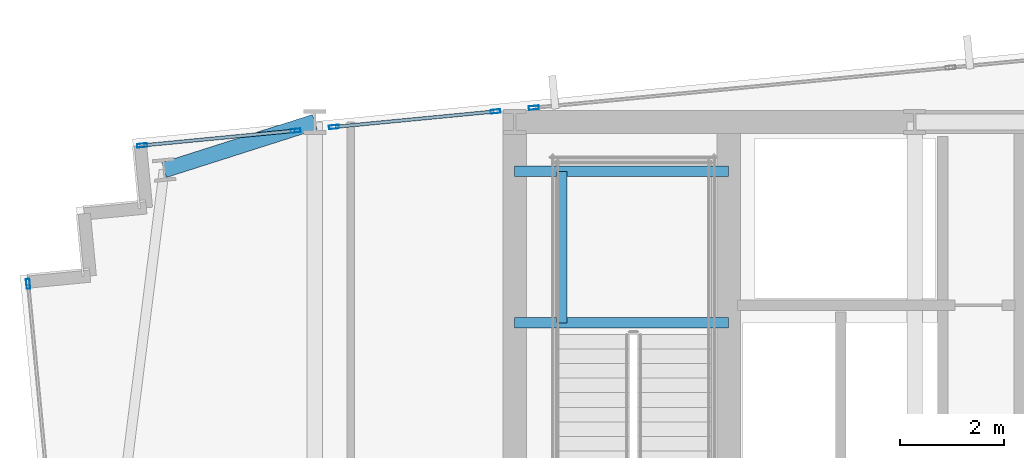
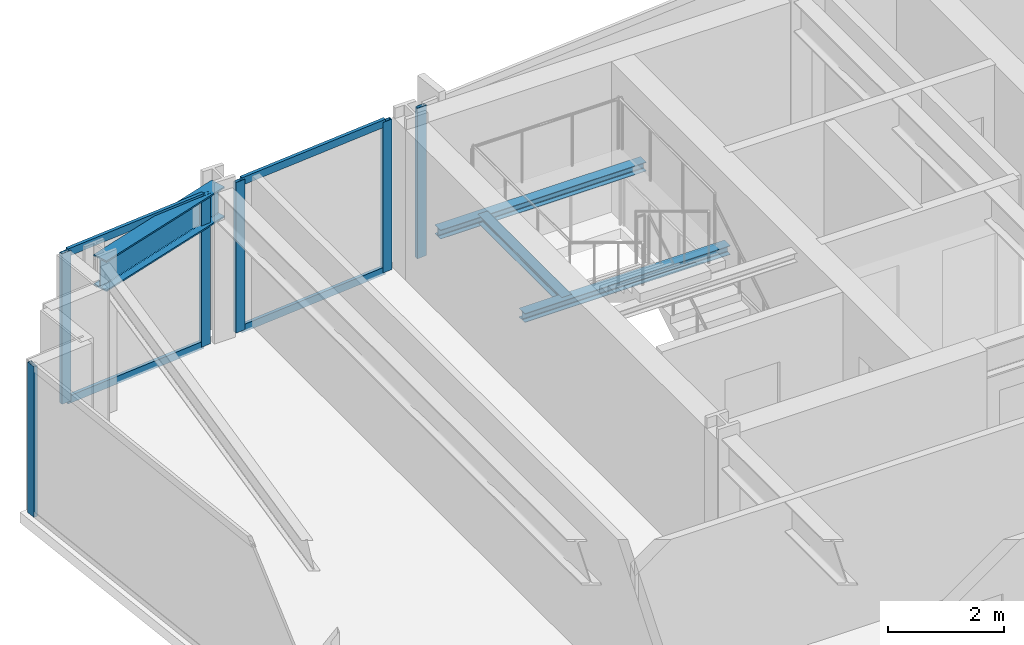
# One storey, part 17 of 32: 10 members, 4 beams, 4 elements without a shape of their own.
"""IFC4 building model written with IfcOpenShell, lengths in metres."""

from ifc_helpers import new_model, si_unit, direction, frame, origin, origin_2d, place, context, subcontext, project, spatial, hollow_rectangle, i_section, extrude, material, material_profile, profile_set, type_object, element, aggregate, save


model = new_model("IFC4")

# Units and contexts
model_context = context("Model", 3, precision=1e-05, world=origin(), true_north=direction((0.0, 1.0)))
body_context = subcontext(model_context, "Body", "Model", "MODEL_VIEW")
ifc_project = project(units=[si_unit("LENGTHUNIT", "METRE"), si_unit("AREAUNIT", "SQUARE_METRE"), si_unit("VOLUMEUNIT", "CUBIC_METRE"), si_unit("PLANEANGLEUNIT", "RADIAN"), si_unit("MASSUNIT", "GRAM", prefix="KILO")], contexts=[model_context])

# Site, building, storey
site_placement = place(None, origin())
site = spatial("IfcSite", under=ifc_project, at=site_placement, CompositionType="ELEMENT")
building_placement = place(site_placement, origin())
building = spatial("IfcBuilding", under=site, at=building_placement, Name="Yelkora Congress Tower", CompositionType="ELEMENT")
storey_placement = place(building_placement, frame((0.0, 0.0, 130.5)))
storey = spatial("IfcBuildingStorey", under=building, at=storey_placement, Name="L35", CompositionType="ELEMENT", Elevation=130.5)

# Beams
ifc_material_1 = material(Name="Steel S355J2", Category="steel")
ifc_material_profile_1 = material_profile(ifc_material_1, i_section(OverallWidth=0.300048828125, OverallDepth=0.64990234375, WebThickness=0.01611328125, FlangeThickness=0.031005859375, FilletRadius=0.027099609375, at=origin_2d()), Name="HEB 650")
ifc_profile_set_1 = profile_set([ifc_material_profile_1], Name="Steel S355J2")
beam_type_1 = type_object("IfcBeamType", Name="BM-GIRD-HEB650", PredefinedType="BEAM", material=ifc_profile_set_1)
beam_1_placement = place(storey_placement, frame((16.306884765625, 45.27734375, 2.85498046875), z_axis=(0.952727067409, 0.303827475759, 0.0), x_axis=(-0.303827475759, 0.952727067409, 0.0)))
element("IfcBeam", 1, at=beam_1_placement, inside=storey, type_object=beam_type_1, Name="L35 Primary Frame Girder N01", PredefinedType="BEAM", context=body_context, shape_type="SweptSolid", body=[
    extrude(i_section(OverallWidth=0.300048828125, OverallDepth=0.64990234375, WebThickness=0.01611328125, FlangeThickness=0.031005859375, FilletRadius=0.027099609375, at=origin_2d()), origin(), (0.0, 0.0, 1.0), 3.03662109375),
])
ifc_material_profile_2 = material_profile(ifc_material_1, i_section(OverallWidth=0.199951171875, OverallDepth=0.18994140625, WebThickness=0.006591796875, FlangeThickness=0.010009765625, FilletRadius=0.01806640625, at=origin_2d()), Name="HEA 200")
ifc_profile_set_2 = profile_set([ifc_material_profile_2], Name="Steel S355J2")
beam_type_2 = type_object("IfcBeamType", Name="BM-LAND-HEA200", PredefinedType="BEAM", material=ifc_profile_set_2)
for number, where, z_axis, x_axis, name in (
    (2, (23.0400390625, 42.340087890625, 1.384521484375), (1.0, 0.0, 0.0), (0.0, 1.0, 0.0), "ST-01 L35 Landing Header Beam 1S"),
    (3, (23.0400390625, 45.25, 1.384521484375), (1.0, 0.0, 0.0), (0.0, 1.0, 0.0), "ST-01 L35 Landing Header Beam 1N"),
):
    element("IfcBeam", number, at=place(storey_placement, frame(where, z_axis=z_axis, x_axis=x_axis)), inside=storey, type_object=beam_type_2, Name=name, PredefinedType="BEAM", context=body_context, shape_type="SweptSolid", body=[
        extrude(i_section(OverallWidth=0.199951171875, OverallDepth=0.18994140625, WebThickness=0.006591796875, FlangeThickness=0.010009765625, FilletRadius=0.01806640625, at=origin_2d()), origin(), (0.0, 0.0, 1.0), 4.10986328125),
    ])
beam_2_placement = place(storey_placement, frame((23.93994140625, 42.340087890625, 1.384521484375), z_axis=(0.0, 1.0, 0.0), x_axis=(-1.0, 0.0, 0.0)))
element("IfcBeam", 4, at=beam_2_placement, inside=storey, type_object=beam_type_2, Name="ST-01 L35 Landing Trimmer Beam 1M", PredefinedType="BEAM", context=body_context, shape_type="SweptSolid", body=[
    extrude(i_section(OverallWidth=0.199951171875, OverallDepth=0.18994140625, WebThickness=0.006591796875, FlangeThickness=0.010009765625, FilletRadius=0.01806640625, at=origin_2d()), origin(), (0.0, 0.0, 1.0), 2.909912109375),
])

# Curtain wall, member
ifc_material_2 = material(Name="Anodised aluminium and insulated glass", Category="aluminium")
curtain_wall_type = type_object("IfcCurtainWallType", Name="CW-SYS-B2", PredefinedType="NOTDEFINED", material=ifc_material_2)
curtain_wall_1_placement = place(storey_placement, origin())
curtain_wall_1 = element("IfcCurtainWall", 5, at=curtain_wall_1_placement, inside=storey, type_object=curtain_wall_type, Name="L35 Unitised Curtain Wall 5", PredefinedType="NOTDEFINED")
ifc_material_3 = material(Name="Anodised aluminium 6063-T6", Category="aluminium")
ifc_material_profile_3 = material_profile(ifc_material_3, hollow_rectangle(XDim=0.070068359375, YDim=0.18994140625, WallThickness=0.00390625, at=origin_2d()), Name="ALU 70x190x4")
ifc_profile_set_3 = profile_set([ifc_material_profile_3], Name="Anodised aluminium 6063-T6")
member_type_1 = type_object("IfcMemberType", Name="MEM-ML-B2", PredefinedType="MULLION", material=ifc_profile_set_3)
member_1_placement = place(storey_placement, frame((13.6943359375, 43.091796875, 0.0), z_axis=(0.0, 0.0, 1.0), x_axis=(-0.995396507508, -0.095842541913, 0.0)))
member_1 = element("IfcMember", 6, at=member_1_placement, type_object=member_type_1, Name="CW-B2 mullion 5", PredefinedType="MULLION", context=body_context, shape_type="SweptSolid", body=[
    extrude(hollow_rectangle(XDim=0.070068359375, YDim=0.18994140625, WallThickness=0.00390625, at=origin_2d()), origin(), (0.0, 0.0, 1.0), 3.179931640625),
])
aggregate(curtain_wall_1, [member_1])

# Curtain wall, members
curtain_wall_2_placement = place(storey_placement, origin())
curtain_wall_2 = element("IfcCurtainWall", 7, at=curtain_wall_2_placement, inside=storey, type_object=curtain_wall_type, Name="L35 Unitised Curtain Wall 10 (1)", PredefinedType="NOTDEFINED")
member_2_placement = place(storey_placement, frame((15.884521484375, 45.7490234375, 0.0), z_axis=(0.0, 0.0, 1.0), x_axis=(-0.095839346142, 0.99539681521, 0.0)))
member_2 = element("IfcMember", 8, at=member_2_placement, type_object=member_type_1, Name="CW-B2 mullion 1", PredefinedType="MULLION", context=body_context, shape_type="SweptSolid", body=[
    extrude(hollow_rectangle(XDim=0.070068359375, YDim=0.18994140625, WallThickness=0.00390625, at=origin_2d()), origin(), (0.0, 0.0, 1.0), 3.179931640625),
])
member_3_placement = place(storey_placement, frame((18.833251953125, 46.032958984375, 0.0), z_axis=(0.0, 0.0, 1.0), x_axis=(-0.095839346142, 0.99539681521, 0.0)))
member_3 = element("IfcMember", 9, at=member_3_placement, type_object=member_type_1, Name="CW-B2 mullion 2", PredefinedType="MULLION", context=body_context, shape_type="SweptSolid", body=[
    extrude(hollow_rectangle(XDim=0.070068359375, YDim=0.18994140625, WallThickness=0.00390625, at=origin_2d()), origin(), (0.0, 0.0, 1.0), 3.179931640625),
])

curtain_wall_3_placement = place(storey_placement, origin())
curtain_wall_3 = element("IfcCurtainWall", 10, at=curtain_wall_3_placement, inside=storey, type_object=curtain_wall_type, Name="L35 Unitised Curtain Wall 10 (2)", PredefinedType="NOTDEFINED")
member_4_placement = place(storey_placement, frame((19.56689453125, 46.103515625, 0.0), z_axis=(0.0, 0.0, 1.0), x_axis=(-0.095841399764, 0.99539661748, 0.0)))
member_4 = element("IfcMember", 11, at=member_4_placement, type_object=member_type_1, Name="CW-B2 mullion 1", PredefinedType="MULLION", context=body_context, shape_type="SweptSolid", body=[
    extrude(hollow_rectangle(XDim=0.070068359375, YDim=0.18994140625, WallThickness=0.00390625, at=origin_2d()), origin(), (0.0, 0.0, 1.0), 3.179931640625),
])
member_5_placement = place(storey_placement, frame((22.673095703125, 46.402587890625, 0.0), z_axis=(0.0, 0.0, 1.0), x_axis=(-0.095841399764, 0.99539661748, 0.0)))
member_5 = element("IfcMember", 12, at=member_5_placement, type_object=member_type_1, Name="CW-B2 mullion 2", PredefinedType="MULLION", context=body_context, shape_type="SweptSolid", body=[
    extrude(hollow_rectangle(XDim=0.070068359375, YDim=0.18994140625, WallThickness=0.00390625, at=origin_2d()), origin(), (0.0, 0.0, 1.0), 3.179931640625),
])

# Curtain wall, member
curtain_wall_4_placement = place(storey_placement, origin())
curtain_wall_4 = element("IfcCurtainWall", 13, at=curtain_wall_4_placement, inside=storey, type_object=curtain_wall_type, Name="L35 Unitised Curtain Wall 10 (3)", PredefinedType="NOTDEFINED")
member_6_placement = place(storey_placement, frame((23.40673828125, 46.473388671875, 0.0), z_axis=(0.0, 0.0, 1.0), x_axis=(-0.095844238468, 0.995396344153, 0.0)))
member_6 = element("IfcMember", 14, at=member_6_placement, type_object=member_type_1, Name="CW-B2 mullion 1", PredefinedType="MULLION", context=body_context, shape_type="SweptSolid", body=[
    extrude(hollow_rectangle(XDim=0.070068359375, YDim=0.18994140625, WallThickness=0.00390625, at=origin_2d()), origin(), (0.0, 0.0, 1.0), 3.179931640625),
])
aggregate(curtain_wall_4, [member_6])

# Member
ifc_material_profile_4 = material_profile(ifc_material_3, hollow_rectangle(XDim=0.06494140625, YDim=0.159912109375, WallThickness=0.00390625, at=origin_2d()), Name="ALU 65x160x4")
ifc_profile_set_4 = profile_set([ifc_material_profile_4], Name="Anodised aluminium 6063-T6")
member_type_2 = type_object("IfcMemberType", Name="MEM-TR-B2", PredefinedType="USERDEFINED", material=ifc_profile_set_4)
member_7_placement = place(storey_placement, frame((15.91943359375, 45.75244140625, 0.032470703125), z_axis=(0.995399744854, 0.095808913705, 0.0), x_axis=(-0.095808913705, 0.995399744854, 0.0)))
member_7 = element("IfcMember", 15, at=member_7_placement, type_object=member_type_2, Name="CW-B2 transom 1.1", ObjectType="TRANSOM", PredefinedType="USERDEFINED", context=body_context, shape_type="SweptSolid", body=[
    extrude(hollow_rectangle(XDim=0.06494140625, YDim=0.159912109375, WallThickness=0.00390625, at=origin_2d()), origin(), (0.0, 0.0, 1.0), 2.89208984375),
])

member_8_placement = place(storey_placement, frame((15.91943359375, 45.75244140625, 3.1474609375), z_axis=(0.995399744854, 0.095808913705, 0.0), x_axis=(-0.095808913705, 0.995399744854, 0.0)))
member_8 = element("IfcMember", 16, at=member_8_placement, type_object=member_type_2, Name="CW-B2 transom 1.2", ObjectType="TRANSOM", PredefinedType="USERDEFINED", context=body_context, shape_type="SweptSolid", body=[
    extrude(hollow_rectangle(XDim=0.06494140625, YDim=0.159912109375, WallThickness=0.00390625, at=origin_2d()), origin(), (0.0, 0.0, 1.0), 2.89208984375),
])

aggregate(curtain_wall_2, [member_2, member_3, member_7, member_8])

member_9_placement = place(storey_placement, frame((19.6015625, 46.10693359375, 0.032470703125), z_axis=(0.995401842144, 0.095787121557, 0.0), x_axis=(-0.095787121557, 0.995401842144, 0.0)))
member_9 = element("IfcMember", 17, at=member_9_placement, type_object=member_type_2, Name="CW-B2 transom 1.1", ObjectType="TRANSOM", PredefinedType="USERDEFINED", context=body_context, shape_type="SweptSolid", body=[
    extrude(hollow_rectangle(XDim=0.06494140625, YDim=0.159912109375, WallThickness=0.00390625, at=origin_2d()), origin(), (0.0, 0.0, 1.0), 3.05078125),
])

member_10_placement = place(storey_placement, frame((19.6015625, 46.10693359375, 3.1474609375), z_axis=(0.995401842144, 0.095787121557, 0.0), x_axis=(-0.095787121557, 0.995401842144, 0.0)))
member_10 = element("IfcMember", 18, at=member_10_placement, type_object=member_type_2, Name="CW-B2 transom 1.2", ObjectType="TRANSOM", PredefinedType="USERDEFINED", context=body_context, shape_type="SweptSolid", body=[
    extrude(hollow_rectangle(XDim=0.06494140625, YDim=0.159912109375, WallThickness=0.00390625, at=origin_2d()), origin(), (0.0, 0.0, 1.0), 3.05078125),
])

aggregate(curtain_wall_3, [member_4, member_5, member_9, member_10])

save(model, "model.ifc")
